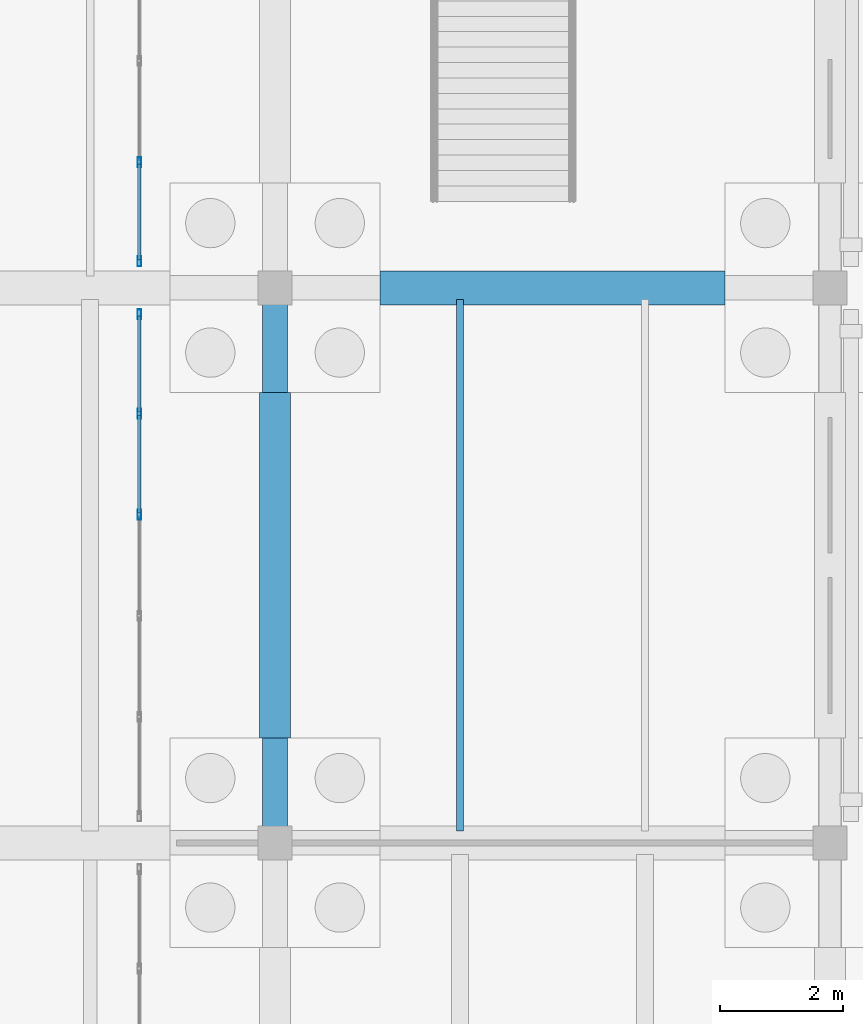
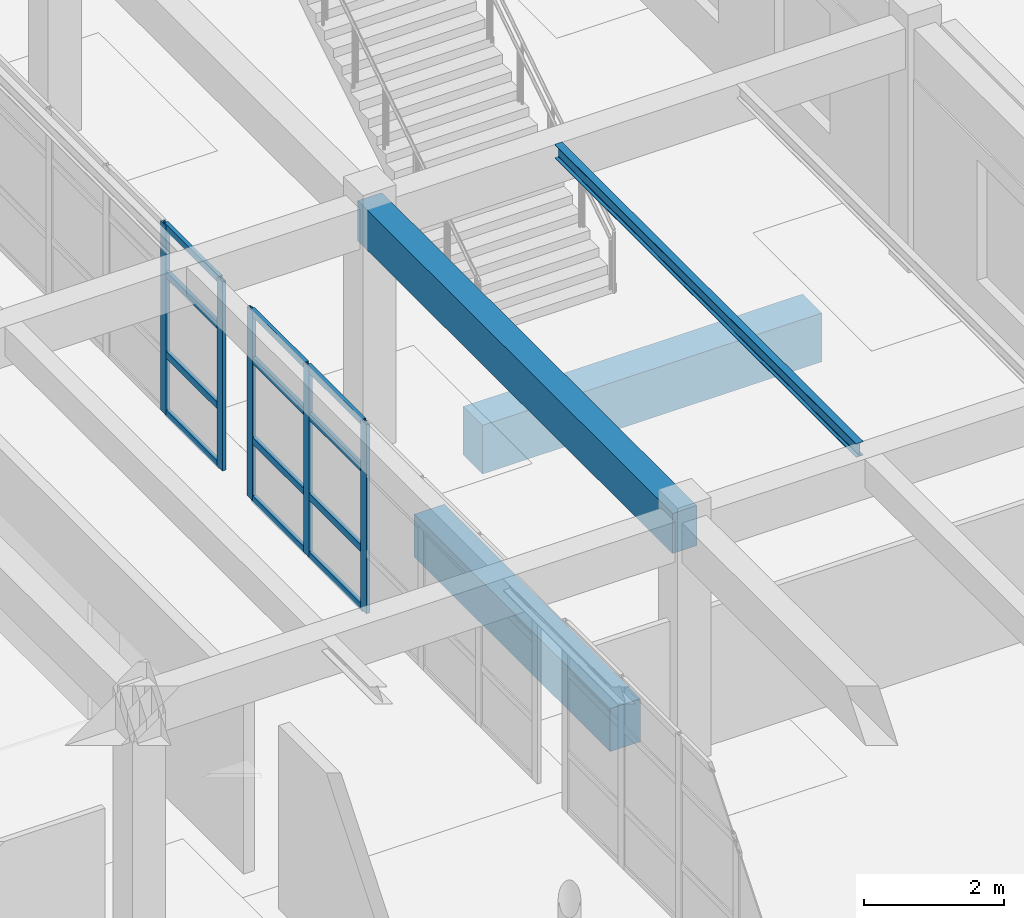
# One storey, part 41 of 186: 17 members, 4 beams, 2 elements without a shape of their own.
"""IFC4 building model written with IfcOpenShell, lengths in metres."""

import ifcopenshell
import ifcopenshell.guid

model = None  # the IFC model being written
_history = None  # IfcOwnerHistory: only IFC2X3 demands one
_inside = {}  # id of a spatial element -> (the spatial element, [elements in it])
_under = {}  # id of a project, library or spatial element -> (it, [spatial elements below it])
_declared = {}  # id of a project -> (the project, [libraries it declares])
_typed = {}  # id of a type object -> (the type object, [elements of that type])
_made_of = {}  # id of a material, layer set ... -> (it, [elements and type objects made of it])


def new_model(schema):
    """Start an empty IFC model of exactly this schema.

    Asked for "IFC4X3", IfcOpenShell would pick the latest addendum, in which some entities
    have other attributes; the version numbers below select the first issue.
    IFC2X3 requires an IfcOwnerHistory on every rooted entity: one is made here for all.
    """
    global model, _history
    if schema == "IFC4X3":
        model = ifcopenshell.file(schema_version=(4, 3, 0, 0))
    else:
        model = ifcopenshell.file(schema=schema)
    _inside.clear()
    _under.clear()
    _declared.clear()
    _typed.clear()
    _made_of.clear()
    _history = None
    if model.schema == "IFC2X3":
        org = make("IfcOrganization", Name="unknown")
        user = make(
            "IfcPersonAndOrganization",
            ThePerson=make("IfcPerson", FamilyName="unknown"),
            TheOrganization=org,
        )
        app = make(
            "IfcApplication",
            ApplicationDeveloper=org,
            Version="unknown",
            ApplicationFullName="unknown",
            ApplicationIdentifier="unknown",
        )
        _history = make(
            "IfcOwnerHistory",
            OwningUser=user,
            OwningApplication=app,
            ChangeAction="ADDED",
            CreationDate=0,
        )
    return model


def make(cls, **values):
    """One entity of the class cls with the attributes given. An attribute that is None is left unset."""
    return model.create_entity(
        cls, **{name: value for name, value in values.items() if value is not None}
    )


def rooted(cls, **values):
    """An entity with a GlobalId (a new one), such as an element, a storey or a relation."""
    return make(cls, GlobalId=ifcopenshell.guid.new(), OwnerHistory=_history, **values)


def si_unit(unit_type, name, prefix=None):
    """IfcSIUnit, for example si_unit("LENGTHUNIT", "METRE", prefix="MILLI")."""
    return make("IfcSIUnit", UnitType=unit_type, Prefix=prefix, Name=name)


def assignment(units):
    """IfcUnitAssignment: the units of a project."""
    return None if units is None else make("IfcUnitAssignment", Units=units)


def point(xyz):
    """IfcCartesianPoint."""
    return None if xyz is None else make("IfcCartesianPoint", Coordinates=xyz)


def direction(xyz):
    """IfcDirection."""
    return None if xyz is None else make("IfcDirection", DirectionRatios=xyz)


def frame(location, z_axis=None, x_axis=None):
    """IfcAxis2Placement3D, a coordinate frame: its origin and axes. An axis left out is left unset."""
    return make(
        "IfcAxis2Placement3D",
        Location=point(location),
        Axis=direction(z_axis),
        RefDirection=direction(x_axis),
    )


def frame_2d(location, x_axis=None):
    """IfcAxis2Placement2D, a coordinate frame in the plane: its origin and x axis."""
    return make(
        "IfcAxis2Placement2D", Location=point(location), RefDirection=direction(x_axis)
    )


def origin():
    """The frame at (0, 0, 0) with its axes left unset."""
    return frame((0.0, 0.0, 0.0))


def origin_2d():
    """The frame at (0, 0) in the plane with its x axis left unset."""
    return frame_2d((0.0, 0.0))


def place(relative_to, where):
    """IfcLocalPlacement: puts the frame where relative to a parent placement (None: the world)."""
    return make(
        "IfcLocalPlacement", PlacementRelTo=relative_to, RelativePlacement=where
    )


def context(
    kind, dimensions, precision=None, world=None, true_north=None, identifier=None
):
    """IfcGeometricRepresentationContext, for example the 3D "Model" context."""
    return make(
        "IfcGeometricRepresentationContext",
        ContextIdentifier=identifier,
        ContextType=kind,
        CoordinateSpaceDimension=dimensions,
        Precision=precision,
        WorldCoordinateSystem=world,
        TrueNorth=true_north,
    )


def subcontext(parent, identifier, kind, view, scale=None):
    """IfcGeometricRepresentationSubContext, for example "Body" below "Model"."""
    return make(
        "IfcGeometricRepresentationSubContext",
        ContextIdentifier=identifier,
        ContextType=kind,
        ParentContext=parent,
        TargetScale=scale,
        TargetView=view,
    )


def project(units=None, contexts=None):
    """IfcProject with its units and contexts."""
    return rooted(
        "IfcProject",
        Name="project",
        RepresentationContexts=contexts,
        UnitsInContext=assignment(units),
    )


def spatial(cls, under=None, at=None, **own):
    """A site, building, storey or space (cls), placed at a placement, below another one or the project."""
    s = rooted(cls, ObjectPlacement=at, **own)
    if under is not None:
        _under.setdefault(under.id(), (under, []))[1].append(s)
    return s


def profile(cls, at=None, kind="AREA", **sizes):
    """A parametric profile (cls). Its sizes go by their IFC names, for example OverallWidth=200.0."""
    return make(cls, ProfileType=kind, Position=at, **sizes)


def rectangle(**sizes):
    """IfcRectangleProfileDef."""
    return profile("IfcRectangleProfileDef", **sizes)


def hollow_rectangle(**sizes):
    """IfcRectangleHollowProfileDef."""
    return profile("IfcRectangleHollowProfileDef", **sizes)


def i_section(**sizes):
    """IfcIShapeProfileDef."""
    return profile("IfcIShapeProfileDef", **sizes)


def extrude(swept, where, along, depth):
    """IfcExtrudedAreaSolid: the profile swept, set in the frame where, extruded along a direction by depth."""
    return make(
        "IfcExtrudedAreaSolid",
        SweptArea=swept,
        Position=where,
        ExtrudedDirection=direction(along),
        Depth=depth,
    )


def shape(context_of_items, identifier, shape_type, items):
    """IfcShapeRepresentation: the items that make up one representation, for example the "Body"."""
    return make(
        "IfcShapeRepresentation",
        ContextOfItems=context_of_items,
        RepresentationIdentifier=identifier,
        RepresentationType=shape_type,
        Items=items,
    )


def material(Name=None, Category=None):
    """IfcMaterial."""
    return make("IfcMaterial", Name=Name, Category=Category)


def layer(
    of_material, thickness, ventilated=None, Name=None, Category=None, Priority=None
):
    """IfcMaterialLayer: one layer of a wall or slab, of a material (None: an air gap)."""
    return make(
        "IfcMaterialLayer",
        Material=of_material,
        LayerThickness=thickness,
        IsVentilated=ventilated,
        Name=Name,
        Category=Category,
        Priority=Priority,
    )


def layer_set(layers, Name=None):
    """IfcMaterialLayerSet."""
    return make("IfcMaterialLayerSet", MaterialLayers=layers, LayerSetName=Name)


def material_profile(
    of_material, cross_section, Name=None, Category=None, Priority=None
):
    """IfcMaterialProfile: a cross section and its material."""
    return make(
        "IfcMaterialProfile",
        Name=Name,
        Material=of_material,
        Profile=cross_section,
        Priority=Priority,
        Category=Category,
    )


def profile_set(profiles, Name=None, composite=None):
    """IfcMaterialProfileSet."""
    return make(
        "IfcMaterialProfileSet",
        Name=Name,
        MaterialProfiles=profiles,
        CompositeProfile=composite,
    )


def made_of(thing, what):
    """Note that an element or type object is made of a material, layer set ...; save() writes the relation."""
    if what is not None:
        _made_of.setdefault(what.id(), (what, []))[1].append(thing)
    return thing


def type_object(cls, material=None, **own):
    """A type object (cls), such as IfcWallType, which elements share."""
    return made_of(rooted(cls, **own), material)


def element(
    cls,
    number,
    at=None,
    inside=None,
    cuts=None,
    type_object=None,
    material=None,
    context=None,
    identifier="Body",
    shape_type=None,
    held_by="IfcProductDefinitionShape",
    body=None,
    shapes=None,
    **own,
):
    """One element of the class cls, such as IfcWall. Its Tag is "e" and its number.

    at: its placement. inside: the storey or other place that contains it. cuts: it is an
    opening in that element (IfcRelVoidsElement). A single representation is given by context,
    identifier, shape_type and body (its items); several are given by shapes. held_by: the class
    of the entity that holds the representations. save() writes the other relations.
    """
    e = rooted(cls, Tag="e%d" % number, ObjectPlacement=at, **own)
    if body is not None:
        shapes = [shape(context, identifier, shape_type, body)]
    if shapes is not None:
        e.Representation = make(held_by, Representations=shapes)
    if inside is not None:
        _inside.setdefault(inside.id(), (inside, []))[1].append(e)
    if cuts is not None:
        rooted(
            "IfcRelVoidsElement", RelatingBuildingElement=cuts, RelatedOpeningElement=e
        )
    if type_object is not None:
        _typed.setdefault(type_object.id(), (type_object, []))[1].append(e)
    return made_of(e, material)


def aggregate(whole, parts):
    """IfcRelAggregates: a whole, such as a stair, and the parts it consists of."""
    return rooted("IfcRelAggregates", RelatingObject=whole, RelatedObjects=parts)


def save(model, path):
    """Write the relations noted so far, then the file.

    IfcRelAggregates (storeys below a building ...), IfcRelContainedInSpatialStructure (elements
    in a storey), IfcRelDefinesByType, IfcRelAssociatesMaterial and IfcRelDeclares: one each for
    every whole, place, type object, material and project.
    """
    for whole, parts in _under.values():
        aggregate(whole, parts)
    for where, things in _inside.values():
        rooted(
            "IfcRelContainedInSpatialStructure",
            RelatedElements=things,
            RelatingStructure=where,
        )
    for kind, things in _typed.values():
        rooted("IfcRelDefinesByType", RelatedObjects=things, RelatingType=kind)
    for what, things in _made_of.values():
        rooted("IfcRelAssociatesMaterial", RelatedObjects=things, RelatingMaterial=what)
    for by, libraries in _declared.values():
        rooted("IfcRelDeclares", RelatingContext=by, RelatedDefinitions=libraries)
    model.write(path)


model = new_model("IFC4")

# Units and contexts
model_context = context("Model", 3, precision=1e-05, world=origin(), true_north=direction((0.0, 1.0)))
body_context = subcontext(model_context, "Body", "Model", "MODEL_VIEW")
ifc_project = project(units=[si_unit("LENGTHUNIT", "METRE"), si_unit("AREAUNIT", "SQUARE_METRE"), si_unit("VOLUMEUNIT", "CUBIC_METRE"), si_unit("PLANEANGLEUNIT", "RADIAN"), si_unit("MASSUNIT", "GRAM", prefix="KILO")], contexts=[model_context])

# Site, building, storey
site_placement = place(None, origin())
site = spatial("IfcSite", under=ifc_project, at=site_placement, CompositionType="ELEMENT")
building_placement = place(site_placement, origin())
building = spatial("IfcBuilding", under=site, at=building_placement, Name="Ornek Quay Market", CompositionType="ELEMENT")
storey_placement = place(building_placement, origin())
storey = spatial("IfcBuildingStorey", under=building, at=storey_placement, Name="L00", CompositionType="ELEMENT", Elevation=0.0)

# Beams
ifc_material_1 = material(Name="Concrete C35/45", Category="concrete")
ifc_material_profile_1 = material_profile(ifc_material_1, rectangle(XDim=0.5, YDim=0.75, at=origin_2d()), Name="RC 500x750", Category="concrete")
ifc_profile_set_1 = profile_set([ifc_material_profile_1], Name="Concrete C35/45")
beam_type_1 = type_object("IfcBeamType", Name="BM-GB-500x750", PredefinedType="BEAM", material=ifc_profile_set_1)
beam_1_placement = place(storey_placement, frame((18.0, 48.699951171875, -0.574951171875), z_axis=(0.0, 1.0, 0.0), x_axis=(-1.0, 0.0, 0.0)))
element("IfcBeam", 1, at=beam_1_placement, inside=storey, type_object=beam_type_1, Name="Ground tie beam GB-069", PredefinedType="BEAM", context=body_context, shape_type="SweptSolid", body=[
    extrude(rectangle(XDim=0.5, YDim=0.75, at=origin_2d()), origin(), (0.0, 0.0, 1.0), 5.60009765625),
])
ifc_material_profile_2 = material_profile(ifc_material_1, rectangle(XDim=0.550048828125, YDim=0.85009765625, at=origin_2d()), Name="RC 550x850", Category="concrete")
ifc_profile_set_2 = profile_set([ifc_material_profile_2], Name="Concrete C35/45")
beam_type_2 = type_object("IfcBeamType", Name="BM-GB-550x850", PredefinedType="BEAM", material=ifc_profile_set_2)
beam_2_placement = place(storey_placement, frame((19.699951171875, 56.0, -0.625), z_axis=(1.0, 0.0, 0.0), x_axis=(0.0, 1.0, 0.0)))
element("IfcBeam", 2, at=beam_2_placement, inside=storey, type_object=beam_type_2, Name="Ground tie beam GB-020", PredefinedType="BEAM", context=body_context, shape_type="SweptSolid", body=[
    extrude(rectangle(XDim=0.550048828125, YDim=0.85009765625, at=origin_2d()), origin(), (0.0, 0.0, 1.0), 5.60009765625),
])
ifc_material_2 = material(Name="Steel S355", Category="steel")
ifc_material_profile_3 = material_profile(ifc_material_2, i_section(OverallWidth=0.1201171875, OverallDepth=0.239990234375, WebThickness=0.006103515625, FlangeThickness=0.009765625, FilletRadius=0.014892578125, at=origin_2d()), Name="IPE 240", Category="steel")
ifc_profile_set_3 = profile_set([ifc_material_profile_3], Name="Steel S355")
beam_type_3 = type_object("IfcBeamType", Name="BM-STL-IPE240", PredefinedType="JOIST", material=ifc_profile_set_3)
beam_3_placement = place(storey_placement, frame((21.0, 47.19189453125, 4.10009765625), z_axis=(0.0, 1.0, 0.0), x_axis=(-1.0, 0.0, 0.0)))
element("IfcBeam", 3, at=beam_3_placement, inside=storey, type_object=beam_type_3, Name="Secondary joist SB-04-013", PredefinedType="JOIST", context=body_context, shape_type="SweptSolid", body=[
    extrude(i_section(OverallWidth=0.1201171875, OverallDepth=0.239990234375, WebThickness=0.006103515625, FlangeThickness=0.009765625, FilletRadius=0.014892578125, at=origin_2d()), origin(), (0.0, 0.0, 1.0), 8.6162109375),
])
ifc_material_profile_4 = material_profile(ifc_material_1, rectangle(XDim=0.39990234375, YDim=0.699951171875, at=origin_2d()), Name="RC 400x700", Category="concrete")
ifc_profile_set_4 = profile_set([ifc_material_profile_4], Name="Concrete C35/45")
beam_type_4 = type_object("IfcBeamType", Name="BM-WW-400x700", PredefinedType="BEAM", material=ifc_profile_set_4)
beam_4_placement = place(storey_placement, frame((18.0, 47.0, 3.8701171875), z_axis=(0.0, 1.0, 0.0), x_axis=(-1.0, 0.0, 0.0)))
element("IfcBeam", 4, at=beam_4_placement, inside=storey, type_object=beam_type_4, Name="Primary beam B-WW1-041", PredefinedType="BEAM", context=body_context, shape_type="SweptSolid", body=[
    extrude(rectangle(XDim=0.39990234375, YDim=0.699951171875, at=origin_2d()), origin(), (0.0, 0.0, 1.0), 9.0),
])

# Curtain wall, members
ifc_material_3 = material(Name="Anodised bronze aluminium and triple low-e glass", Category="aluminium")
ifc_layer = layer(ifc_material_3, 0.179931640625, Name="Anodised bronze aluminium and triple low-e glass", Category="aluminium")
ifc_layer_set = layer_set([ifc_layer], Name="Anodised bronze aluminium and triple low-e glass")
curtain_wall_type = type_object("IfcCurtainWallType", Name="CW-CONC-MOD1500", PredefinedType="USERDEFINED", material=ifc_layer_set)
curtain_wall_1_placement = place(storey_placement, origin())
curtain_wall_1 = element("IfcCurtainWall", 5, at=curtain_wall_1_placement, inside=storey, type_object=curtain_wall_type, Name="Curtain wall CW-138", ObjectType="CURTAIN WALL", PredefinedType="USERDEFINED")
ifc_material_4 = material(Name="Anodised aluminium 6063-T6", Category="aluminium")
ifc_material_profile_5 = material_profile(ifc_material_4, hollow_rectangle(XDim=0.06005859375, YDim=0.159912109375, WallThickness=0.00390625, at=origin_2d()), Name="CW-MUL-60x160", Category="aluminium")
ifc_profile_set_5 = profile_set([ifc_material_profile_5], Name="Anodised aluminium 6063-T6")
member_type_1 = type_object("IfcMemberType", Name="CW-MUL-60x160", PredefinedType="MULLION", material=ifc_profile_set_5)
member_1_placement = place(storey_placement, frame((15.800048828125, 52.320068359375, 0.0), z_axis=(0.0, 0.0, 1.0), x_axis=(-1.0, 0.0, 0.0)))
member_1 = element("IfcMember", 6, at=member_1_placement, type_object=member_type_1, Name="CW-138 mullion 4", PredefinedType="MULLION", context=body_context, shape_type="SweptSolid", body=[
    extrude(hollow_rectangle(XDim=0.06005859375, YDim=0.159912109375, WallThickness=0.00390625, at=origin_2d()), origin(), (0.0, 0.0, 1.0), 3.300048828125),
])
member_2_placement = place(storey_placement, frame((15.800048828125, 53.9599609375, 0.0), z_axis=(0.0, 0.0, 1.0), x_axis=(-1.0, 0.0, 0.0)))
member_2 = element("IfcMember", 7, at=member_2_placement, type_object=member_type_1, Name="CW-138 mullion 5", PredefinedType="MULLION", context=body_context, shape_type="SweptSolid", body=[
    extrude(hollow_rectangle(XDim=0.06005859375, YDim=0.159912109375, WallThickness=0.00390625, at=origin_2d()), origin(), (0.0, 0.0, 1.0), 3.300048828125),
])
member_3_placement = place(storey_placement, frame((15.800048828125, 55.570068359375, 0.0), z_axis=(0.0, 0.0, 1.0), x_axis=(-1.0, 0.0, 0.0)))
member_3 = element("IfcMember", 8, at=member_3_placement, type_object=member_type_1, Name="CW-138 mullion 6", PredefinedType="MULLION", context=body_context, shape_type="SweptSolid", body=[
    extrude(hollow_rectangle(XDim=0.06005859375, YDim=0.159912109375, WallThickness=0.00390625, at=origin_2d()), origin(), (0.0, 0.0, 1.0), 3.300048828125),
])

curtain_wall_2_placement = place(storey_placement, origin())
curtain_wall_2 = element("IfcCurtainWall", 9, at=curtain_wall_2_placement, inside=storey, type_object=curtain_wall_type, Name="Curtain wall CW-140", ObjectType="CURTAIN WALL", PredefinedType="USERDEFINED")
member_4_placement = place(storey_placement, frame((15.800048828125, 56.429931640625, 0.0), z_axis=(0.0, 0.0, 1.0), x_axis=(-1.0, 0.0, 0.0)))
member_4 = element("IfcMember", 10, at=member_4_placement, type_object=member_type_1, Name="CW-140 mullion 1", PredefinedType="MULLION", context=body_context, shape_type="SweptSolid", body=[
    extrude(hollow_rectangle(XDim=0.06005859375, YDim=0.159912109375, WallThickness=0.00390625, at=origin_2d()), origin(), (0.0, 0.0, 1.0), 3.300048828125),
])
member_5_placement = place(storey_placement, frame((15.800048828125, 58.0400390625, 0.0), z_axis=(0.0, 0.0, 1.0), x_axis=(-1.0, 0.0, 0.0)))
member_5 = element("IfcMember", 11, at=member_5_placement, type_object=member_type_1, Name="CW-140 mullion 2", PredefinedType="MULLION", context=body_context, shape_type="SweptSolid", body=[
    extrude(hollow_rectangle(XDim=0.06005859375, YDim=0.159912109375, WallThickness=0.00390625, at=origin_2d()), origin(), (0.0, 0.0, 1.0), 3.300048828125),
])

# Member
ifc_material_profile_6 = material_profile(ifc_material_4, hollow_rectangle(XDim=0.06005859375, YDim=0.1201171875, WallThickness=0.00390625, at=origin_2d()), Name="CW-TRN-60x120", Category="aluminium")
ifc_profile_set_6 = profile_set([ifc_material_profile_6], Name="Anodised aluminium 6063-T6")
member_type_2 = type_object("IfcMemberType", Name="CW-TRN-60x120", PredefinedType="USERDEFINED", material=ifc_profile_set_6)
member_6_placement = place(storey_placement, frame((15.800048828125, 52.35009765625, 0.030029296875), z_axis=(0.0, 1.0, 0.0), x_axis=(-1.0, 0.0, 0.0)))
member_6 = element("IfcMember", 12, at=member_6_placement, type_object=member_type_2, Name="CW-138 transom 4.1", ObjectType="TRANSOM", PredefinedType="USERDEFINED", context=body_context, shape_type="SweptSolid", body=[
    extrude(hollow_rectangle(XDim=0.06005859375, YDim=0.1201171875, WallThickness=0.00390625, at=origin_2d()), origin(), (0.0, 0.0, 1.0), 1.579833984375),
])

member_7_placement = place(storey_placement, frame((15.800048828125, 52.35009765625, 1.050048828125), z_axis=(0.0, 1.0, 0.0), x_axis=(-1.0, 0.0, 0.0)))
member_7 = element("IfcMember", 13, at=member_7_placement, type_object=member_type_2, Name="CW-138 transom 4.2", ObjectType="TRANSOM", PredefinedType="USERDEFINED", context=body_context, shape_type="SweptSolid", body=[
    extrude(hollow_rectangle(XDim=0.06005859375, YDim=0.1201171875, WallThickness=0.00390625, at=origin_2d()), origin(), (0.0, 0.0, 1.0), 1.579833984375),
])

member_8_placement = place(storey_placement, frame((15.800048828125, 52.35009765625, 2.449951171875), z_axis=(0.0, 1.0, 0.0), x_axis=(-1.0, 0.0, 0.0)))
member_8 = element("IfcMember", 14, at=member_8_placement, type_object=member_type_2, Name="CW-138 transom 4.3", ObjectType="TRANSOM", PredefinedType="USERDEFINED", context=body_context, shape_type="SweptSolid", body=[
    extrude(hollow_rectangle(XDim=0.06005859375, YDim=0.1201171875, WallThickness=0.00390625, at=origin_2d()), origin(), (0.0, 0.0, 1.0), 1.579833984375),
])

member_9_placement = place(storey_placement, frame((15.800048828125, 52.35009765625, 3.27001953125), z_axis=(0.0, 1.0, 0.0), x_axis=(-1.0, 0.0, 0.0)))
member_9 = element("IfcMember", 15, at=member_9_placement, type_object=member_type_2, Name="CW-138 transom 4.4", ObjectType="TRANSOM", PredefinedType="USERDEFINED", context=body_context, shape_type="SweptSolid", body=[
    extrude(hollow_rectangle(XDim=0.06005859375, YDim=0.1201171875, WallThickness=0.00390625, at=origin_2d()), origin(), (0.0, 0.0, 1.0), 1.579833984375),
])

member_10_placement = place(storey_placement, frame((15.800048828125, 53.989990234375, 0.030029296875), z_axis=(0.0, 1.0, 0.0), x_axis=(-1.0, 0.0, 0.0)))
member_10 = element("IfcMember", 16, at=member_10_placement, type_object=member_type_2, Name="CW-138 transom 5.1", ObjectType="TRANSOM", PredefinedType="USERDEFINED", context=body_context, shape_type="SweptSolid", body=[
    extrude(hollow_rectangle(XDim=0.06005859375, YDim=0.1201171875, WallThickness=0.00390625, at=origin_2d()), origin(), (0.0, 0.0, 1.0), 1.550048828125),
])

member_11_placement = place(storey_placement, frame((15.800048828125, 53.989990234375, 1.050048828125), z_axis=(0.0, 1.0, 0.0), x_axis=(-1.0, 0.0, 0.0)))
member_11 = element("IfcMember", 17, at=member_11_placement, type_object=member_type_2, Name="CW-138 transom 5.2", ObjectType="TRANSOM", PredefinedType="USERDEFINED", context=body_context, shape_type="SweptSolid", body=[
    extrude(hollow_rectangle(XDim=0.06005859375, YDim=0.1201171875, WallThickness=0.00390625, at=origin_2d()), origin(), (0.0, 0.0, 1.0), 1.550048828125),
])

member_12_placement = place(storey_placement, frame((15.800048828125, 53.989990234375, 2.449951171875), z_axis=(0.0, 1.0, 0.0), x_axis=(-1.0, 0.0, 0.0)))
member_12 = element("IfcMember", 18, at=member_12_placement, type_object=member_type_2, Name="CW-138 transom 5.3", ObjectType="TRANSOM", PredefinedType="USERDEFINED", context=body_context, shape_type="SweptSolid", body=[
    extrude(hollow_rectangle(XDim=0.06005859375, YDim=0.1201171875, WallThickness=0.00390625, at=origin_2d()), origin(), (0.0, 0.0, 1.0), 1.550048828125),
])

member_13_placement = place(storey_placement, frame((15.800048828125, 53.989990234375, 3.27001953125), z_axis=(0.0, 1.0, 0.0), x_axis=(-1.0, 0.0, 0.0)))
member_13 = element("IfcMember", 19, at=member_13_placement, type_object=member_type_2, Name="CW-138 transom 5.4", ObjectType="TRANSOM", PredefinedType="USERDEFINED", context=body_context, shape_type="SweptSolid", body=[
    extrude(hollow_rectangle(XDim=0.06005859375, YDim=0.1201171875, WallThickness=0.00390625, at=origin_2d()), origin(), (0.0, 0.0, 1.0), 1.550048828125),
])

aggregate(curtain_wall_1, [member_1, member_2, member_3, member_6, member_7, member_8, member_9, member_10, member_11, member_12, member_13])

member_14_placement = place(storey_placement, frame((15.800048828125, 56.4599609375, 0.030029296875), z_axis=(0.0, 1.0, 0.0), x_axis=(-1.0, 0.0, 0.0)))
member_14 = element("IfcMember", 20, at=member_14_placement, type_object=member_type_2, Name="CW-140 transom 1.1", ObjectType="TRANSOM", PredefinedType="USERDEFINED", context=body_context, shape_type="SweptSolid", body=[
    extrude(hollow_rectangle(XDim=0.06005859375, YDim=0.1201171875, WallThickness=0.00390625, at=origin_2d()), origin(), (0.0, 0.0, 1.0), 1.550048828125),
])

member_15_placement = place(storey_placement, frame((15.800048828125, 56.4599609375, 1.050048828125), z_axis=(0.0, 1.0, 0.0), x_axis=(-1.0, 0.0, 0.0)))
member_15 = element("IfcMember", 21, at=member_15_placement, type_object=member_type_2, Name="CW-140 transom 1.2", ObjectType="TRANSOM", PredefinedType="USERDEFINED", context=body_context, shape_type="SweptSolid", body=[
    extrude(hollow_rectangle(XDim=0.06005859375, YDim=0.1201171875, WallThickness=0.00390625, at=origin_2d()), origin(), (0.0, 0.0, 1.0), 1.550048828125),
])

member_16_placement = place(storey_placement, frame((15.800048828125, 56.4599609375, 2.449951171875), z_axis=(0.0, 1.0, 0.0), x_axis=(-1.0, 0.0, 0.0)))
member_16 = element("IfcMember", 22, at=member_16_placement, type_object=member_type_2, Name="CW-140 transom 1.3", ObjectType="TRANSOM", PredefinedType="USERDEFINED", context=body_context, shape_type="SweptSolid", body=[
    extrude(hollow_rectangle(XDim=0.06005859375, YDim=0.1201171875, WallThickness=0.00390625, at=origin_2d()), origin(), (0.0, 0.0, 1.0), 1.550048828125),
])

member_17_placement = place(storey_placement, frame((15.800048828125, 56.4599609375, 3.27001953125), z_axis=(0.0, 1.0, 0.0), x_axis=(-1.0, 0.0, 0.0)))
member_17 = element("IfcMember", 23, at=member_17_placement, type_object=member_type_2, Name="CW-140 transom 1.4", ObjectType="TRANSOM", PredefinedType="USERDEFINED", context=body_context, shape_type="SweptSolid", body=[
    extrude(hollow_rectangle(XDim=0.06005859375, YDim=0.1201171875, WallThickness=0.00390625, at=origin_2d()), origin(), (0.0, 0.0, 1.0), 1.550048828125),
])

aggregate(curtain_wall_2, [member_4, member_5, member_14, member_15, member_16, member_17])

save(model, "model.ifc")
